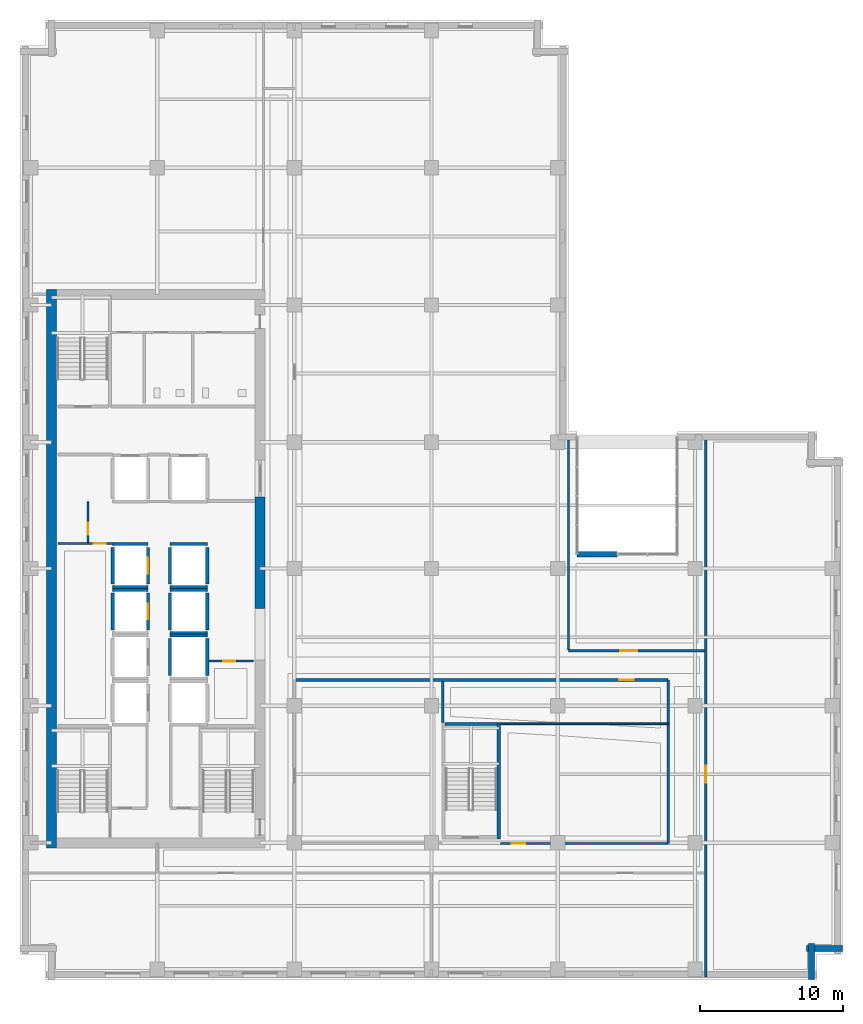
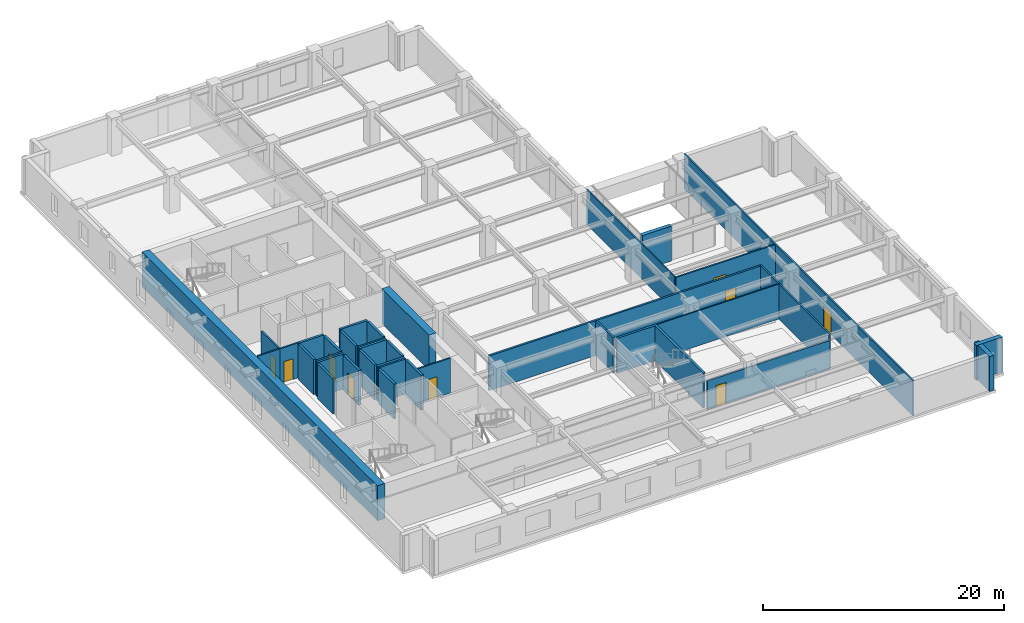
# One storey, part 5 of 14: 37 walls, 9 doors, 9 openings.
"""IFC4 building model written with IfcOpenShell, lengths in metres."""

from ifc_helpers import new_model, si_unit, direction, frame, frame_2d, origin, place, context, subcontext, project, spatial, rectangle, extrude, material, layer, layer_set, type_object, element, fill, save


model = new_model("IFC4")

# Units and contexts
model_context = context("Model", 3, precision=1e-05, world=origin(), true_north=direction((0.0, 1.0)))
body_context = subcontext(model_context, "Body", "Model", "MODEL_VIEW")
ifc_project = project(units=[si_unit("LENGTHUNIT", "METRE"), si_unit("AREAUNIT", "SQUARE_METRE"), si_unit("VOLUMEUNIT", "CUBIC_METRE"), si_unit("PLANEANGLEUNIT", "RADIAN"), si_unit("MASSUNIT", "GRAM", prefix="KILO")], contexts=[model_context])

# Site, building, storey
site_placement = place(None, origin())
site = spatial("IfcSite", under=ifc_project, at=site_placement, CompositionType="ELEMENT")
building_placement = place(site_placement, origin())
building = spatial("IfcBuilding", under=site, at=building_placement, Name="Norrvale University Quadrangle", CompositionType="ELEMENT")
storey_placement = place(building_placement, frame((0.0, 0.0, 116.60009765625)))
storey = spatial("IfcBuildingStorey", under=building, at=storey_placement, Name="L29", CompositionType="ELEMENT", Elevation=116.60009765625)

# Walls
ifc_material_1 = material(Name="Buff Norman Clay Brick Masonry", Category="masonry")
ifc_layer_1 = layer(ifc_material_1, 0.419921875, Name="Buff Norman Clay Brick Masonry")
ifc_layer_set_1 = layer_set([ifc_layer_1], Name="Buff Norman Clay Brick Masonry")
wall_type_1 = type_object("IfcWallType", Name="Wall Buff Brick 420", PredefinedType="SOLIDWALL", material=ifc_layer_set_1)
for number, where, z_axis, x_axis, name in (
    (1, (55.409912109375, 0.0400390625, 0.0), (0.0, 0.0, 1.0), (0.0, 1.0, 0.0), "Exterior Brick Facade Wall L29-02.1"),
    (2, (55.06005859375, 2.18994140625, 0.0), (0.0, 0.0, 1.0), (1.0, 0.0, 0.0), "Exterior Brick Facade Wall L29-03.1"),
):
    element("IfcWall", number, at=place(storey_placement, frame(where, z_axis=z_axis, x_axis=x_axis)), inside=storey, type_object=wall_type_1, Name=name, PredefinedType="SOLIDWALL", context=body_context, shape_type="SweptSolid", body=[
        extrude(rectangle(XDim=2.5, YDim=0.419921875, at=frame_2d((1.25, 0.0))), origin(), (0.0, 0.0, 1.0), 3.539794921875),
    ])
wall_1_placement = place(storey_placement, frame((39.0, 29.800048828125, 0.0), z_axis=(0.0, 0.0, 1.0), x_axis=(1.0, 0.0, 0.0)))
element("IfcWall", 3, at=wall_1_placement, inside=storey, type_object=wall_type_1, Name="Sky Garden Loggia Access Wall L29", PredefinedType="SOLIDWALL", context=body_context, shape_type="SweptSolid", body=[
    extrude(rectangle(XDim=2.800048828125, YDim=0.360107421875, at=frame_2d((1.39990234375, 0.0))), origin(), (0.0, 0.0, 1.0), 3.539794921875),
])
ifc_material_2 = material(Name="Concrete C60/75", Category="concrete")
ifc_layer_2 = layer(ifc_material_2, 0.699951171875, Name="Concrete C60/75")
ifc_layer_set_2 = layer_set([ifc_layer_2], Name="Concrete C60/75")
wall_type_2 = type_object("IfcWallType", Name="Wall Core 700", PredefinedType="SHEAR", material=ifc_layer_set_2)
wall_2_placement = place(storey_placement, frame((2.199951171875, 9.25, 0.0), z_axis=(0.0, 0.0, 1.0), x_axis=(0.0, 1.0, 0.0)))
element("IfcWall", 4, at=wall_2_placement, inside=storey, type_object=wall_type_2, Name="Tower Core Shear Wall L29-W", PredefinedType="SHEAR", context=body_context, shape_type="SweptSolid", body=[
    extrude(rectangle(XDim=39.10009765625, YDim=0.699951171875, at=frame_2d((19.550048828125, 0.0))), origin(), (0.0, 0.0, 1.0), 3.539794921875),
])
wall_3_placement = place(storey_placement, frame((16.800048828125, 26.0, 0.0), z_axis=(0.0, 0.0, 1.0), x_axis=(0.0, 1.0, 0.0)))
element("IfcWall", 5, at=wall_3_placement, inside=storey, type_object=wall_type_2, Name="Tower Core Shear Wall L29-E2", PredefinedType="SHEAR", context=body_context, shape_type="SweptSolid", body=[
    extrude(rectangle(XDim=7.800048828125, YDim=0.699951171875, at=frame_2d((3.89990234375, 0.0))), origin(), (0.0, 0.0, 1.0), 3.539794921875),
])
ifc_material_3 = material(Name="Standard Academic Gypsum Partition")
ifc_layer_3 = layer(ifc_material_3, 0.125, Name="Standard Academic Gypsum Partition")
ifc_layer_set_3 = layer_set([ifc_layer_3], Name="Standard Academic Gypsum Partition")
wall_type_3 = type_object("IfcWallType", Name="Wall Gypsum Academic 125", PredefinedType="PARTITIONING", material=ifc_layer_set_3)
wall_4_placement = place(storey_placement, frame((33.6201171875, 17.93994140625, 0.0), z_axis=(0.0, 0.0, 1.0), x_axis=(1.0, 0.0, 0.0)))
element("IfcWall", 6, at=wall_4_placement, inside=storey, type_object=wall_type_3, Name="Interior Partition WL-L29-ISLH", PredefinedType="PARTITIONING", context=body_context, shape_type="SweptSolid", body=[
    extrude(rectangle(XDim=11.7548828125, YDim=0.125, at=frame_2d((5.87744140625, 0.0))), origin(), (0.0, 0.0, 1.0), 3.539794921875),
])
wall_5_placement = place(storey_placement, frame((38.39990234375, 23.1298828125, 0.0), z_axis=(0.0, 0.0, 1.0), x_axis=(0.0, 1.0, 0.0)))
element("IfcWall", 7, at=wall_5_placement, inside=storey, type_object=wall_type_3, Name="Interior Partition WL-L29-SGL-W", PredefinedType="PARTITIONING", context=body_context, shape_type="SweptSolid", body=[
    extrude(rectangle(XDim=14.66015625, YDim=0.125, at=frame_2d((7.330078125, 0.0))), origin(), (0.0, 0.0, 1.0), 3.539794921875),
])

# Wall, opening, door
ifc_material_4 = material(Name="Fire-Rated Gypsum Stud Partition")
ifc_layer_4 = layer(ifc_material_4, 0.14990234375, Name="Fire-Rated Gypsum Stud Partition")
ifc_layer_set_4 = layer_set([ifc_layer_4], Name="Fire-Rated Gypsum Stud Partition")
wall_type_4 = type_object("IfcWallType", Name="Wall Gypsum Corridor 150", PredefinedType="PARTITIONING", material=ifc_layer_set_4)
wall_6_placement = place(storey_placement, frame((13.22509765625, 22.320068359375, 0.0), z_axis=(0.0, 0.0, 1.0), x_axis=(1.0, 0.0, 0.0)))
wall_6 = element("IfcWall", 8, at=wall_6_placement, inside=storey, type_object=wall_type_4, Name="Interior Partition WL-L29-JAN-N", PredefinedType="PARTITIONING", context=body_context, shape_type="SweptSolid", body=[
    extrude(rectangle(XDim=3.119873046875, YDim=0.14990234375, at=frame_2d((1.56005859375, 0.0))), origin(), (0.0, 0.0, 1.0), 3.539794921875),
])
opening_1_placement = place(wall_6_placement, frame((1.0, 0.0, 0.0)))
opening_1 = element("IfcOpeningElement", 9, at=opening_1_placement, cuts=wall_6, Name="Opening D10", PredefinedType="OPENING", context=body_context, shape_type="SweptSolid", body=[
    extrude(rectangle(XDim=0.85009765625, YDim=2.10009765625, at=frame_2d((0.425048828125, 1.050048828125))), frame((0.0, 0.0869140625, 0.0), z_axis=(0.0, -1.0, 0.0), x_axis=(1.0, 0.0, 0.0)), (0.0, 0.0, 1.0), 0.173828125),
])
ifc_material_5 = material(Name="Hollow Steel 350W Riser Fire Door", Category="steel")
door_type_1 = type_object("IfcDoorType", Name="Door Riser 850x2100", OperationType="NOTDEFINED", PredefinedType="DOOR", material=ifc_material_5)
door_1_placement = place(opening_1_placement, origin())
door_1 = element("IfcDoor", 10, at=door_1_placement, inside=storey, type_object=door_type_1, Name="Door Riser 850x2100 DR-L29-JAN", OperationType="SINGLE_SWING_LEFT", OverallHeight=2.10009765625, OverallWidth=0.85009765625, PredefinedType="DOOR", context=body_context, shape_type="SweptSolid", body=[
    extrude(rectangle(XDim=0.85009765625, YDim=2.10009765625, at=frame_2d((0.425048828125, 1.050048828125))), frame((0.0, 0.02490234375, 0.0), z_axis=(0.0, -1.0, 0.0), x_axis=(1.0, 0.0, 0.0)), (0.0, 0.0, 1.0), 0.050048828125),
])
fill(opening_1, door_1)

wall_7_placement = place(storey_placement, frame((4.760009765625, 30.550048828125, 0.0), z_axis=(0.0, 0.0, 1.0), x_axis=(0.0, 1.0, 0.0)))
wall_7 = element("IfcWall", 11, at=wall_7_placement, inside=storey, type_object=wall_type_4, Name="Interior Partition WL-L29-WME-E", PredefinedType="PARTITIONING", context=body_context, shape_type="SweptSolid", body=[
    extrude(rectangle(XDim=2.929931640625, YDim=0.14990234375, at=frame_2d((1.46484375, 0.0))), origin(), (0.0, 0.0, 1.0), 3.539794921875),
])
opening_2_placement = place(wall_7_placement, frame((0.60009765625, 0.0, 0.0)))
opening_2 = element("IfcOpeningElement", 12, at=opening_2_placement, cuts=wall_7, Name="Opening D10", PredefinedType="OPENING", context=body_context, shape_type="SweptSolid", body=[
    extrude(rectangle(XDim=0.85009765625, YDim=2.10009765625, at=frame_2d((0.425048828125, 1.050048828125))), frame((0.0, 0.0869140625, 0.0), z_axis=(0.0, -1.0, 0.0), x_axis=(1.0, 0.0, 0.0)), (0.0, 0.0, 1.0), 0.173828125),
])
door_2_placement = place(opening_2_placement, origin())
door_2 = element("IfcDoor", 13, at=door_2_placement, inside=storey, type_object=door_type_1, Name="Door Riser 850x2100 DR-L29-WME", OperationType="SINGLE_SWING_LEFT", OverallHeight=2.10009765625, OverallWidth=0.85009765625, PredefinedType="DOOR", context=body_context, shape_type="SweptSolid", body=[
    extrude(rectangle(XDim=0.85009765625, YDim=2.10009765625, at=frame_2d((0.425048828125, 1.050048828125))), frame((0.0, 0.02490234375, 0.0), z_axis=(0.0, -1.0, 0.0), x_axis=(1.0, 0.0, 0.0)), (0.0, 0.0, 1.0), 0.050048828125),
])
fill(opening_2, door_2)

wall_8_placement = place(storey_placement, frame((4.760009765625, 30.550048828125, 0.0), z_axis=(0.0, 0.0, 1.0), x_axis=(1.0, 0.0, 0.0)))
wall_8 = element("IfcWall", 14, at=wall_8_placement, inside=storey, type_object=wall_type_4, Name="Interior Partition WL-L29-WST-N", PredefinedType="PARTITIONING", context=body_context, shape_type="SweptSolid", body=[
    extrude(rectangle(XDim=1.760009765625, YDim=0.14990234375, at=frame_2d((0.8798828125, 0.0))), origin(), (0.0, 0.0, 1.0), 3.539794921875),
])
opening_3_placement = place(wall_8_placement, frame((0.39990234375, 0.0, 0.0)))
opening_3 = element("IfcOpeningElement", 15, at=opening_3_placement, cuts=wall_8, Name="Opening D10", PredefinedType="OPENING", context=body_context, shape_type="SweptSolid", body=[
    extrude(rectangle(XDim=0.85009765625, YDim=2.10009765625, at=frame_2d((0.425048828125, 1.050048828125))), frame((0.0, 0.0869140625, 0.0), z_axis=(0.0, -1.0, 0.0), x_axis=(1.0, 0.0, 0.0)), (0.0, 0.0, 1.0), 0.173828125),
])
door_3_placement = place(opening_3_placement, origin())
door_3 = element("IfcDoor", 16, at=door_3_placement, inside=storey, type_object=door_type_1, Name="Door Riser 850x2100 DR-L29-WST", OperationType="SINGLE_SWING_RIGHT", OverallHeight=2.10009765625, OverallWidth=0.85009765625, PredefinedType="DOOR", context=body_context, shape_type="SweptSolid", body=[
    extrude(rectangle(XDim=0.85009765625, YDim=2.10009765625, at=frame_2d((0.425048828125, 1.050048828125))), frame((0.0, 0.02490234375, 0.0), z_axis=(0.0, -1.0, 0.0), x_axis=(1.0, 0.0, 0.0)), (0.0, 0.0, 1.0), 0.050048828125),
])
fill(opening_3, door_3)

# Wall
wall_9_placement = place(storey_placement, frame((2.64990234375, 30.550048828125, 0.0), z_axis=(0.0, 0.0, 1.0), x_axis=(1.0, 0.0, 0.0)))
element("IfcWall", 17, at=wall_9_placement, inside=storey, type_object=wall_type_4, Name="Interior Partition WL-L29-WST-N2", PredefinedType="PARTITIONING", context=body_context, shape_type="SweptSolid", body=[
    extrude(rectangle(XDim=2.110107421875, YDim=0.14990234375, at=frame_2d((1.05517578125, 0.0))), origin(), (0.0, 0.0, 1.0), 3.539794921875),
])

# Wall, opening, door
wall_10_placement = place(storey_placement, frame((48.0, 0.219970703125, 0.0), z_axis=(0.0, 0.0, 1.0), x_axis=(0.0, 1.0, 0.0)))
wall_10 = element("IfcWall", 18, at=wall_10_placement, inside=storey, type_object=wall_type_4, Name="Interior Partition WL-L29-ECW", PredefinedType="PARTITIONING", context=body_context, shape_type="SweptSolid", body=[
    extrude(rectangle(XDim=37.9599609375, YDim=0.14990234375, at=frame_2d((18.97998046875, 0.0))), origin(), (0.0, 0.0, 1.0), 3.539794921875),
])
opening_4_placement = place(wall_10_placement, frame((13.580078125, 0.0, 0.0)))
opening_4 = element("IfcOpeningElement", 19, at=opening_4_placement, cuts=wall_10, Name="Opening D05", PredefinedType="OPENING", context=body_context, shape_type="SweptSolid", body=[
    extrude(rectangle(XDim=1.199951171875, YDim=2.199951171875, at=frame_2d((0.60009765625, 1.10009765625))), frame((0.0, 0.0869140625, 0.0), z_axis=(0.0, -1.0, 0.0), x_axis=(1.0, 0.0, 0.0)), (0.0, 0.0, 1.0), 0.173828125),
])
ifc_material_6 = material(Name="Acoustic Oak Classroom Door", Category="wood")
door_type_2 = type_object("IfcDoorType", Name="Door Classroom 1200x2200", OperationType="NOTDEFINED", PredefinedType="DOOR", material=ifc_material_6)
door_4_placement = place(opening_4_placement, origin())
door_4 = element("IfcDoor", 20, at=door_4_placement, inside=storey, type_object=door_type_2, Name="Door Classroom 1200x2200 DR-L29-E01", OperationType="SINGLE_SWING_RIGHT", OverallHeight=2.199951171875, OverallWidth=1.199951171875, PredefinedType="DOOR", context=body_context, shape_type="SweptSolid", body=[
    extrude(rectangle(XDim=1.199951171875, YDim=2.199951171875, at=frame_2d((0.60009765625, 1.10009765625))), frame((0.0, 0.02490234375, 0.0), z_axis=(0.0, -1.0, 0.0), x_axis=(1.0, 0.0, 0.0)), (0.0, 0.0, 1.0), 0.050048828125),
])
fill(opening_4, door_4)

wall_11_placement = place(storey_placement, frame((33.6201171875, 9.550048828125, 0.0), z_axis=(0.0, 0.0, 1.0), x_axis=(1.0, 0.0, 0.0)))
wall_11 = element("IfcWall", 21, at=wall_11_placement, inside=storey, type_object=wall_type_4, Name="Interior Partition WL-L29-ISLS2", PredefinedType="PARTITIONING", context=body_context, shape_type="SweptSolid", body=[
    extrude(rectangle(XDim=11.7548828125, YDim=0.14990234375, at=frame_2d((5.87744140625, 0.0))), origin(), (0.0, 0.0, 1.0), 2.9228515625),
])
opening_5_placement = place(wall_11_placement, frame((0.800048828125, 0.0, 0.0)))
opening_5 = element("IfcOpeningElement", 22, at=opening_5_placement, cuts=wall_11, Name="Opening D07", PredefinedType="OPENING", context=body_context, shape_type="SweptSolid", body=[
    extrude(rectangle(XDim=0.949951171875, YDim=2.14990234375, at=frame_2d((0.47509765625, 1.074951171875))), frame((0.0, 0.0869140625, 0.0), z_axis=(0.0, -1.0, 0.0), x_axis=(1.0, 0.0, 0.0)), (0.0, 0.0, 1.0), 0.173828125),
])
ifc_material_7 = material(Name="Solid-Core Maple Door", Category="wood")
door_type_3 = type_object("IfcDoorType", Name="Door Office 950x2150", OperationType="NOTDEFINED", PredefinedType="DOOR", material=ifc_material_7)
door_5_placement = place(opening_5_placement, origin())
door_5 = element("IfcDoor", 23, at=door_5_placement, inside=storey, type_object=door_type_3, Name="Door Office 950x2150 DR-L29-ISE", OperationType="SINGLE_SWING_LEFT", OverallHeight=2.14990234375, OverallWidth=0.949951171875, PredefinedType="DOOR", context=body_context, shape_type="SweptSolid", body=[
    extrude(rectangle(XDim=0.949951171875, YDim=2.14990234375, at=frame_2d((0.47509765625, 1.074951171875))), frame((0.0, 0.02490234375, 0.0), z_axis=(0.0, -1.0, 0.0), x_axis=(1.0, 0.0, 0.0)), (0.0, 0.0, 1.0), 0.050048828125),
])
fill(opening_5, door_5)

# Wall
wall_12_placement = place(storey_placement, frame((45.375, 9.550048828125, 0.0), z_axis=(0.0, 0.0, 1.0), x_axis=(0.0, 1.0, 0.0)))
element("IfcWall", 24, at=wall_12_placement, inside=storey, type_object=wall_type_4, Name="Interior Partition WL-L29-ISLE", PredefinedType="PARTITIONING", context=body_context, shape_type="SweptSolid", body=[
    extrude(rectangle(XDim=11.449951171875, YDim=0.14990234375, at=frame_2d((5.72509765625, 0.0))), origin(), (0.0, 0.0, 1.0), 3.539794921875),
])

# Wall, opening, door
wall_13_placement = place(storey_placement, frame((38.39990234375, 23.050048828125, 0.0), z_axis=(0.0, 0.0, 1.0), x_axis=(1.0, 0.0, 0.0)))
wall_13 = element("IfcWall", 25, at=wall_13_placement, inside=storey, type_object=wall_type_4, Name="Interior Partition WL-L29-SGL-S", PredefinedType="PARTITIONING", context=body_context, shape_type="SweptSolid", body=[
    extrude(rectangle(XDim=9.52001953125, YDim=0.14990234375, at=frame_2d((4.760009765625, 0.0))), origin(), (0.0, 0.0, 1.0), 3.539794921875),
])
opening_6_placement = place(wall_13_placement, frame((3.60009765625, 0.0, 0.0)))
opening_6 = element("IfcOpeningElement", 26, at=opening_6_placement, cuts=wall_13, Name="Opening D05", PredefinedType="OPENING", context=body_context, shape_type="SweptSolid", body=[
    extrude(rectangle(XDim=1.199951171875, YDim=2.199951171875, at=frame_2d((0.60009765625, 1.10009765625))), frame((0.0, 0.0869140625, 0.0), z_axis=(0.0, -1.0, 0.0), x_axis=(1.0, 0.0, 0.0)), (0.0, 0.0, 1.0), 0.173828125),
])
door_6_placement = place(opening_6_placement, origin())
door_6 = element("IfcDoor", 27, at=door_6_placement, inside=storey, type_object=door_type_2, Name="Door Classroom 1200x2200 DR-L29-SGLNG", OperationType="SINGLE_SWING_LEFT", OverallHeight=2.199951171875, OverallWidth=1.199951171875, PredefinedType="DOOR", context=body_context, shape_type="SweptSolid", body=[
    extrude(rectangle(XDim=1.199951171875, YDim=2.199951171875, at=frame_2d((0.60009765625, 1.10009765625))), frame((0.0, 0.02490234375, 0.0), z_axis=(0.0, -1.0, 0.0), x_axis=(1.0, 0.0, 0.0)), (0.0, 0.0, 1.0), 0.050048828125),
])
fill(opening_6, door_6)

# Wall
ifc_material_8 = material(Name="Acoustic Double-Stud Gypsum Partition")
ifc_layer_5 = layer(ifc_material_8, 0.179931640625, Name="Acoustic Double-Stud Gypsum Partition")
ifc_layer_set_5 = layer_set([ifc_layer_5], Name="Acoustic Double-Stud Gypsum Partition")
wall_type_5 = type_object("IfcWallType", Name="Wall Gypsum Lecture 180", PredefinedType="PARTITIONING", material=ifc_layer_set_5)
wall_14_placement = place(storey_placement, frame((29.580078125, 18.02490234375, 0.0), z_axis=(0.0, 0.0, 1.0), x_axis=(0.0, 1.0, 0.0)))
element("IfcWall", 28, at=wall_14_placement, inside=storey, type_object=wall_type_5, Name="Interior Partition WL-L29-ISLD", PredefinedType="PARTITIONING", context=body_context, shape_type="SweptSolid", body=[
    extrude(rectangle(XDim=2.880126953125, YDim=0.179931640625, at=frame_2d((1.43994140625, 0.0))), origin(), (0.0, 0.0, 1.0), 3.539794921875),
])

# Wall, opening, door
wall_15_placement = place(storey_placement, frame((19.280029296875, 21.0, 0.0), z_axis=(0.0, 0.0, 1.0), x_axis=(1.0, 0.0, 0.0)))
wall_15 = element("IfcWall", 29, at=wall_15_placement, inside=storey, type_object=wall_type_5, Name="Interior Partition WL-L29-ISLN", PredefinedType="PARTITIONING", context=body_context, shape_type="SweptSolid", body=[
    extrude(rectangle(XDim=26.094970703125, YDim=0.179931640625, at=frame_2d((13.04736328125, 0.0))), origin(), (0.0, 0.0, 1.0), 3.539794921875),
])
opening_7_placement = place(wall_15_placement, frame((22.669921875, 0.0, 0.0)))
opening_7 = element("IfcOpeningElement", 30, at=opening_7_placement, cuts=wall_15, Name="Opening D04", PredefinedType="OPENING", context=body_context, shape_type="SweptSolid", body=[
    extrude(rectangle(XDim=1.0, YDim=2.199951171875, at=frame_2d((0.5, 1.10009765625))), frame((0.0, 0.10205078125, 0.0), z_axis=(0.0, -1.0, 0.0), x_axis=(1.0, 0.0, 0.0)), (0.0, 0.0, 1.0), 0.203857421875),
])
ifc_material_9 = material(Name="Solid-Core Oak Fire Door", Category="wood")
door_type_4 = type_object("IfcDoorType", Name="Door Corridor 1000x2200", OperationType="NOTDEFINED", PredefinedType="DOOR", material=ifc_material_9)
door_7_placement = place(opening_7_placement, origin())
door_7 = element("IfcDoor", 31, at=door_7_placement, inside=storey, type_object=door_type_4, Name="Door Corridor 1000x2200 DR-L29-ILH", OperationType="SINGLE_SWING_RIGHT", OverallHeight=2.199951171875, OverallWidth=1.0, PredefinedType="DOOR", context=body_context, shape_type="SweptSolid", body=[
    extrude(rectangle(XDim=1.0, YDim=2.199951171875, at=frame_2d((0.5, 1.10009765625))), frame((0.0, 0.02490234375, 0.0), z_axis=(0.0, -1.0, 0.0), x_axis=(1.0, 0.0, 0.0)), (0.0, 0.0, 1.0), 0.050048828125),
])
fill(opening_7, door_7)

# Walls
ifc_material_10 = material(Name="Concrete Blockwork 20 MPa Fire Shaft", Category="masonry")
ifc_layer_6 = layer(ifc_material_10, 0.219970703125, Name="Concrete Blockwork 20 MPa Fire Shaft")
ifc_layer_set_6 = layer_set([ifc_layer_6], Name="Concrete Blockwork 20 MPa Fire Shaft")
wall_type_6 = type_object("IfcWallType", Name="Wall Shaft 220", PredefinedType="SOLIDWALL", material=ifc_layer_set_6)
wall_16_placement = place(storey_placement, frame((33.510009765625, 9.8798828125, 0.0), z_axis=(0.0, 0.0, 1.0), x_axis=(0.0, 1.0, 0.0)))
element("IfcWall", 32, at=wall_16_placement, inside=storey, type_object=wall_type_6, Name="Stair ST-04 East Shaft Wall L29", PredefinedType="SOLIDWALL", context=body_context, shape_type="SweptSolid", body=[
    extrude(rectangle(XDim=8.14013671875, YDim=0.219970703125, at=frame_2d((4.070068359375, 0.0))), origin(), (0.0, 0.0, 1.0), 3.539794921875),
])
wall_17_placement = place(storey_placement, frame((29.75, 17.909912109375, 0.0), z_axis=(0.0, 0.0, 1.0), x_axis=(1.0, 0.0, 0.0)))
element("IfcWall", 33, at=wall_17_placement, inside=storey, type_object=wall_type_6, Name="Stair ST-04 North Shaft Wall L29", PredefinedType="SOLIDWALL", context=body_context, shape_type="SweptSolid", body=[
    extrude(rectangle(XDim=3.64990234375, YDim=0.219970703125, at=frame_2d((1.824951171875, 0.0))), origin(), (0.0, 0.0, 1.0), 3.539794921875),
])
wall_18_placement = place(storey_placement, frame((6.489990234375, 24.510009765625, 0.0), z_axis=(0.0, 0.0, 1.0), x_axis=(0.0, 1.0, 0.0)))
element("IfcWall", 34, at=wall_18_placement, inside=storey, type_object=wall_type_6, Name="Hoistway PL-03 West Wall L29", PredefinedType="SOLIDWALL", context=body_context, shape_type="SweptSolid", body=[
    extrude(rectangle(XDim=2.580078125, YDim=0.219970703125, at=frame_2d((1.2900390625, 0.0))), origin(), (0.0, 0.0, 1.0), 3.539794921875),
])

# Wall, opening, door
wall_19_placement = place(storey_placement, frame((8.9599609375, 24.510009765625, 0.0), z_axis=(0.0, 0.0, 1.0), x_axis=(0.0, 1.0, 0.0)))
wall_19 = element("IfcWall", 35, at=wall_19_placement, inside=storey, type_object=wall_type_6, Name="Hoistway PL-03 East Wall L29", PredefinedType="SOLIDWALL", context=body_context, shape_type="SweptSolid", body=[
    extrude(rectangle(XDim=2.580078125, YDim=0.219970703125, at=frame_2d((1.2900390625, 0.0))), origin(), (0.0, 0.0, 1.0), 3.539794921875),
])
opening_8_placement = place(wall_19_placement, frame((0.739990234375, 0.0, 0.0)))
opening_8 = element("IfcOpeningElement", 36, at=opening_8_placement, cuts=wall_19, Name="Opening LD1", PredefinedType="OPENING", context=body_context, shape_type="SweptSolid", body=[
    extrude(rectangle(XDim=1.10009765625, YDim=2.199951171875, at=frame_2d((0.550048828125, 1.10009765625))), frame((0.0, 0.1220703125, 0.0), z_axis=(0.0, -1.0, 0.0), x_axis=(1.0, 0.0, 0.0)), (0.0, 0.0, 1.0), 0.243896484375),
])
ifc_material_11 = material(Name="Stainless Steel 316L Lift Landing Door", Category="steel")
door_type_5 = type_object("IfcDoorType", Name="Door Lift Landing 1100x2200", OperationType="DOUBLE_DOOR_SLIDING", PredefinedType="DOOR", material=ifc_material_11)
door_8_placement = place(opening_8_placement, origin())
door_8 = element("IfcDoor", 37, at=door_8_placement, inside=storey, type_object=door_type_5, Name="Elevator Landing Door DR-L29-PL-03", OperationType="DOUBLE_DOOR_SLIDING", OverallHeight=2.199951171875, OverallWidth=1.10009765625, PredefinedType="DOOR", context=body_context, shape_type="SweptSolid", body=[
    extrude(rectangle(XDim=1.10009765625, YDim=2.199951171875, at=frame_2d((0.550048828125, 1.10009765625))), frame((0.0, 0.02490234375, 0.0), z_axis=(0.0, -1.0, 0.0), x_axis=(1.0, 0.0, 0.0)), (0.0, 0.0, 1.0), 0.050048828125),
])
fill(opening_8, door_8)

# Walls
wall_20_placement = place(storey_placement, frame((6.489990234375, 27.31005859375, 0.0), z_axis=(0.0, 0.0, 1.0), x_axis=(1.0, 0.0, 0.0)))
element("IfcWall", 38, at=wall_20_placement, inside=storey, type_object=wall_type_6, Name="Hoistway PL-03 North Wall L29", PredefinedType="SOLIDWALL", context=body_context, shape_type="SweptSolid", body=[
    extrude(rectangle(XDim=2.469970703125, YDim=0.219970703125, at=frame_2d((1.23486328125, 0.0))), origin(), (0.0, 0.0, 1.0), 3.539794921875),
])
wall_21_placement = place(storey_placement, frame((6.489990234375, 27.7099609375, 0.0), z_axis=(0.0, 0.0, 1.0), x_axis=(0.0, 1.0, 0.0)))
element("IfcWall", 39, at=wall_21_placement, inside=storey, type_object=wall_type_6, Name="Hoistway PL-04 West Wall L29", PredefinedType="SOLIDWALL", context=body_context, shape_type="SweptSolid", body=[
    extrude(rectangle(XDim=2.580078125, YDim=0.219970703125, at=frame_2d((1.2900390625, 0.0))), origin(), (0.0, 0.0, 1.0), 3.539794921875),
])

# Wall, opening, door
wall_22_placement = place(storey_placement, frame((8.9599609375, 27.7099609375, 0.0), z_axis=(0.0, 0.0, 1.0), x_axis=(0.0, 1.0, 0.0)))
wall_22 = element("IfcWall", 40, at=wall_22_placement, inside=storey, type_object=wall_type_6, Name="Hoistway PL-04 East Wall L29", PredefinedType="SOLIDWALL", context=body_context, shape_type="SweptSolid", body=[
    extrude(rectangle(XDim=2.580078125, YDim=0.219970703125, at=frame_2d((1.2900390625, 0.0))), origin(), (0.0, 0.0, 1.0), 3.539794921875),
])
opening_9_placement = place(wall_22_placement, frame((0.739990234375, 0.0, 0.0)))
opening_9 = element("IfcOpeningElement", 41, at=opening_9_placement, cuts=wall_22, Name="Opening LD1", PredefinedType="OPENING", context=body_context, shape_type="SweptSolid", body=[
    extrude(rectangle(XDim=1.10009765625, YDim=2.199951171875, at=frame_2d((0.550048828125, 1.10009765625))), frame((0.0, 0.1220703125, 0.0), z_axis=(0.0, -1.0, 0.0), x_axis=(1.0, 0.0, 0.0)), (0.0, 0.0, 1.0), 0.243896484375),
])
door_9_placement = place(opening_9_placement, origin())
door_9 = element("IfcDoor", 42, at=door_9_placement, inside=storey, type_object=door_type_5, Name="Elevator Landing Door DR-L29-PL-04", OperationType="DOUBLE_DOOR_SLIDING", OverallHeight=2.199951171875, OverallWidth=1.10009765625, PredefinedType="DOOR", context=body_context, shape_type="SweptSolid", body=[
    extrude(rectangle(XDim=1.10009765625, YDim=2.199951171875, at=frame_2d((0.550048828125, 1.10009765625))), frame((0.0, 0.02490234375, 0.0), z_axis=(0.0, -1.0, 0.0), x_axis=(1.0, 0.0, 0.0)), (0.0, 0.0, 1.0), 0.050048828125),
])
fill(opening_9, door_9)

# Walls
for number, where, z_axis, x_axis, name in (
    (43, (6.489990234375, 27.489990234375, 0.0), (0.0, 0.0, 1.0), (1.0, 0.0, 0.0), "Hoistway PL-04 South Wall L29"),
    (44, (6.489990234375, 30.510009765625, 0.0), (0.0, 0.0, 1.0), (1.0, 0.0, 0.0), "Hoistway PL-04 North Wall L29"),
):
    element("IfcWall", number, at=place(storey_placement, frame(where, z_axis=z_axis, x_axis=x_axis)), inside=storey, type_object=wall_type_6, Name=name, PredefinedType="SOLIDWALL", context=body_context, shape_type="SweptSolid", body=[
        extrude(rectangle(XDim=2.469970703125, YDim=0.219970703125, at=frame_2d((1.23486328125, 0.0))), origin(), (0.0, 0.0, 1.0), 3.539794921875),
    ])
for number, where, z_axis, x_axis, name in (
    (45, (10.489990234375, 21.31005859375, 0.0), (0.0, 0.0, 1.0), (0.0, 1.0, 0.0), "Hoistway PL-06 West Wall L29"),
    (46, (13.110107421875, 21.31005859375, 0.0), (0.0, 0.0, 1.0), (0.0, 1.0, 0.0), "Hoistway PL-06 East Wall L29"),
):
    element("IfcWall", number, at=place(storey_placement, frame(where, z_axis=z_axis, x_axis=x_axis)), inside=storey, type_object=wall_type_6, Name=name, PredefinedType="SOLIDWALL", context=body_context, shape_type="SweptSolid", body=[
        extrude(rectangle(XDim=2.579833984375, YDim=0.219970703125, at=frame_2d((1.2900390625, 0.0))), origin(), (0.0, 0.0, 1.0), 3.539794921875),
    ])
wall_23_placement = place(storey_placement, frame((10.489990234375, 24.110107421875, 0.0), z_axis=(0.0, 0.0, 1.0), x_axis=(1.0, 0.0, 0.0)))
element("IfcWall", 47, at=wall_23_placement, inside=storey, type_object=wall_type_6, Name="Hoistway PL-06 North Wall L29", PredefinedType="SOLIDWALL", context=body_context, shape_type="SweptSolid", body=[
    extrude(rectangle(XDim=2.6201171875, YDim=0.219970703125, at=frame_2d((1.31005859375, 0.0))), origin(), (0.0, 0.0, 1.0), 3.539794921875),
])
for number, where, z_axis, x_axis, name in (
    (48, (10.489990234375, 24.510009765625, 0.0), (0.0, 0.0, 1.0), (0.0, 1.0, 0.0), "Hoistway PL-07 West Wall L29"),
    (49, (13.110107421875, 24.510009765625, 0.0), (0.0, 0.0, 1.0), (0.0, 1.0, 0.0), "Hoistway PL-07 East Wall L29"),
):
    element("IfcWall", number, at=place(storey_placement, frame(where, z_axis=z_axis, x_axis=x_axis)), inside=storey, type_object=wall_type_6, Name=name, PredefinedType="SOLIDWALL", context=body_context, shape_type="SweptSolid", body=[
        extrude(rectangle(XDim=2.580078125, YDim=0.219970703125, at=frame_2d((1.2900390625, 0.0))), origin(), (0.0, 0.0, 1.0), 3.539794921875),
    ])
for number, where, z_axis, x_axis, name in (
    (50, (10.489990234375, 24.2900390625, 0.0), (0.0, 0.0, 1.0), (1.0, 0.0, 0.0), "Hoistway PL-07 South Wall L29"),
    (51, (10.489990234375, 27.31005859375, 0.0), (0.0, 0.0, 1.0), (1.0, 0.0, 0.0), "Hoistway PL-07 North Wall L29"),
):
    element("IfcWall", number, at=place(storey_placement, frame(where, z_axis=z_axis, x_axis=x_axis)), inside=storey, type_object=wall_type_6, Name=name, PredefinedType="SOLIDWALL", context=body_context, shape_type="SweptSolid", body=[
        extrude(rectangle(XDim=2.6201171875, YDim=0.219970703125, at=frame_2d((1.31005859375, 0.0))), origin(), (0.0, 0.0, 1.0), 3.539794921875),
    ])
for number, where, z_axis, x_axis, name in (
    (52, (10.489990234375, 27.7099609375, 0.0), (0.0, 0.0, 1.0), (0.0, 1.0, 0.0), "Hoistway PL-08 West Wall L29"),
    (53, (13.110107421875, 27.7099609375, 0.0), (0.0, 0.0, 1.0), (0.0, 1.0, 0.0), "Hoistway PL-08 East Wall L29"),
):
    element("IfcWall", number, at=place(storey_placement, frame(where, z_axis=z_axis, x_axis=x_axis)), inside=storey, type_object=wall_type_6, Name=name, PredefinedType="SOLIDWALL", context=body_context, shape_type="SweptSolid", body=[
        extrude(rectangle(XDim=2.580078125, YDim=0.219970703125, at=frame_2d((1.2900390625, 0.0))), origin(), (0.0, 0.0, 1.0), 3.539794921875),
    ])
for number, where, z_axis, x_axis, name in (
    (54, (10.489990234375, 27.489990234375, 0.0), (0.0, 0.0, 1.0), (1.0, 0.0, 0.0), "Hoistway PL-08 South Wall L29"),
    (55, (10.489990234375, 30.510009765625, 0.0), (0.0, 0.0, 1.0), (1.0, 0.0, 0.0), "Hoistway PL-08 North Wall L29"),
):
    element("IfcWall", number, at=place(storey_placement, frame(where, z_axis=z_axis, x_axis=x_axis)), inside=storey, type_object=wall_type_6, Name=name, PredefinedType="SOLIDWALL", context=body_context, shape_type="SweptSolid", body=[
        extrude(rectangle(XDim=2.6201171875, YDim=0.219970703125, at=frame_2d((1.31005859375, 0.0))), origin(), (0.0, 0.0, 1.0), 3.539794921875),
    ])

save(model, "model.ifc")
